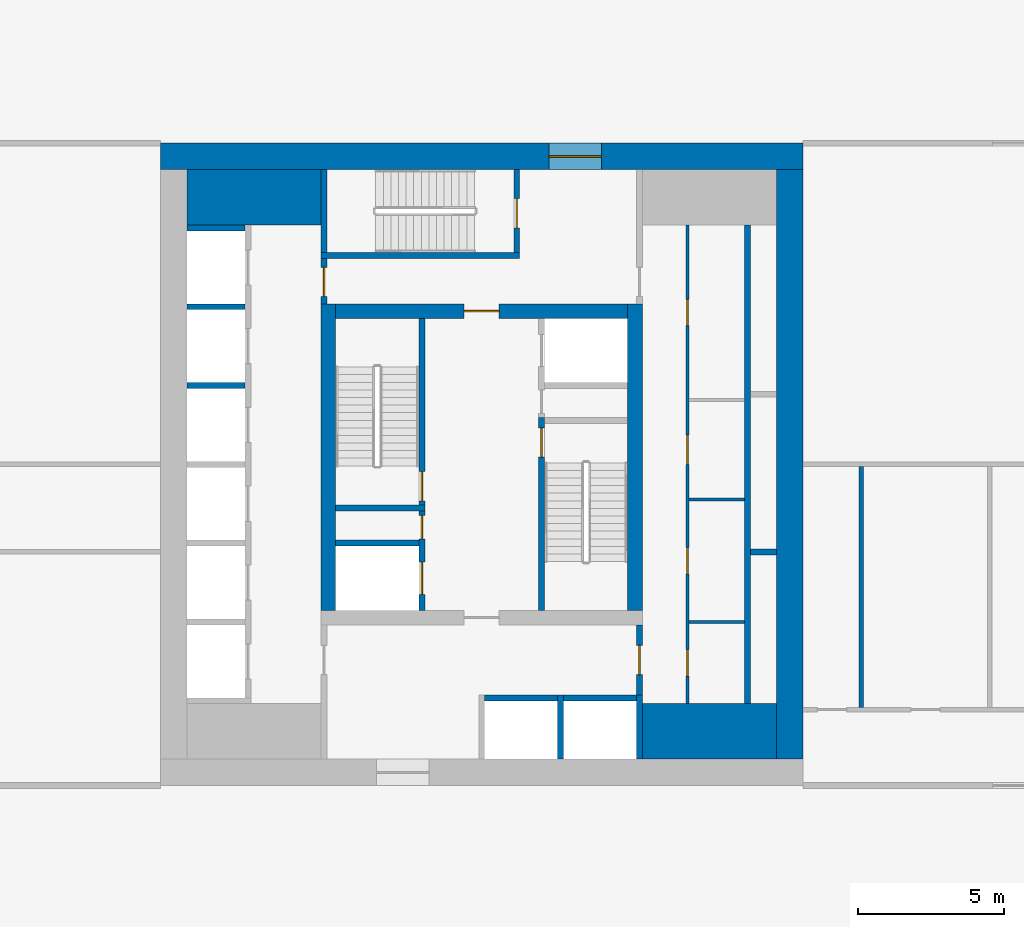
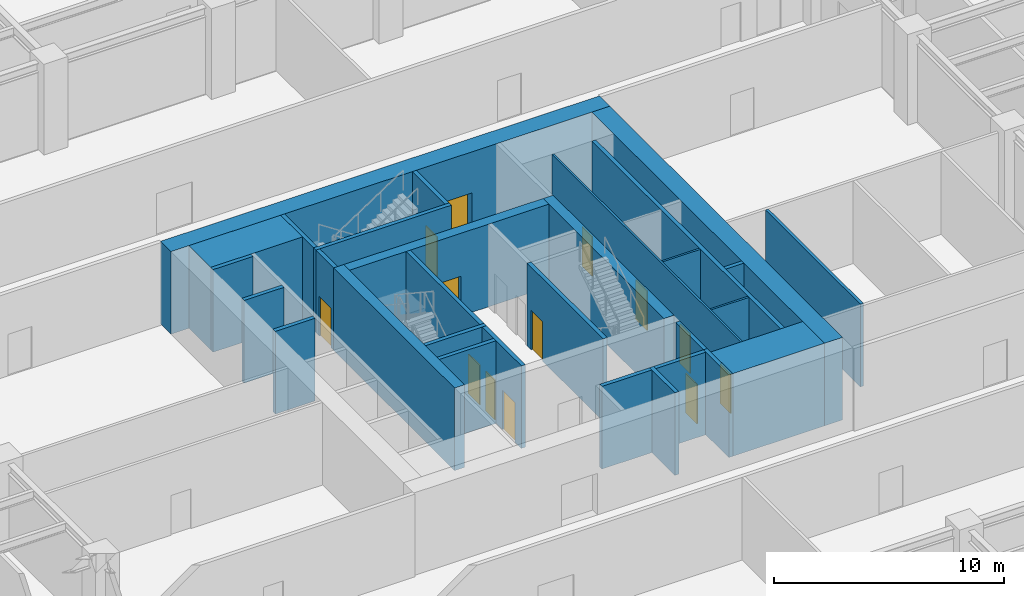
# One storey, part 39 of 53: 30 walls, 13 doors, 13 openings.
"""IFC4 building model written with IfcOpenShell, lengths in metres."""

from ifc_helpers import new_model, si_unit, direction, frame, frame_2d, origin, place, context, subcontext, project, spatial, rectangle, extrude, material, layer, layer_set, type_object, element, fill, save


model = new_model("IFC4")

# Units and contexts
model_context = context("Model", 3, precision=1e-05, world=origin(), true_north=direction((0.0, 1.0)))
body_context = subcontext(model_context, "Body", "Model", "MODEL_VIEW")
ifc_project = project(units=[si_unit("LENGTHUNIT", "METRE"), si_unit("AREAUNIT", "SQUARE_METRE"), si_unit("VOLUMEUNIT", "CUBIC_METRE"), si_unit("PLANEANGLEUNIT", "RADIAN"), si_unit("MASSUNIT", "GRAM", prefix="KILO")], contexts=[model_context])

# Site, building, storey
site_placement = place(None, origin())
site = spatial("IfcSite", under=ifc_project, at=site_placement, CompositionType="ELEMENT")
building_placement = place(site_placement, origin())
building = spatial("IfcBuilding", under=site, at=building_placement, Name="Khepri Terraces", CompositionType="ELEMENT")
storey_placement = place(building_placement, frame((0.0, 0.0, 7.199951171875)))
storey = spatial("IfcBuildingStorey", under=building, at=storey_placement, Name="L01", CompositionType="ELEMENT", Elevation=7.199951171875)

# Walls
ifc_material_1 = material(Name="Concrete C80/95", Category="concrete")
ifc_layer_1 = layer(ifc_material_1, 1.89990234375, Name="Concrete C80/95", Category="concrete")
ifc_layer_set_1 = layer_set([ifc_layer_1], Name="Concrete C80/95")
wall_type_1 = type_object("IfcWallType", Name="Core wall 1900 C80/95", PredefinedType="SHEAR", material=ifc_layer_set_1)
for number, where, z_axis, x_axis, name in (
    (1, (5.5, -9.14990234375, 0.0), (0.0, 0.0, 1.0), (1.0, 0.0, 0.0), "Core wall PR02 L01"),
    (2, (-10.10009765625, 9.14990234375, 0.0), (0.0, 0.0, 1.0), (1.0, 0.0, 0.0), "Core wall PR03 L01"),
):
    element("IfcWall", number, at=place(storey_placement, frame(where, z_axis=z_axis, x_axis=x_axis)), inside=storey, type_object=wall_type_1, Name=name, PredefinedType="SHEAR", context=body_context, shape_type="SweptSolid", body=[
        extrude(rectangle(XDim=4.60009765625, YDim=1.89990234375, at=frame_2d((2.300048828125, 0.0))), origin(), (0.0, 0.0, 1.0), 4.380126953125),
    ])

# Wall, opening, door
ifc_layer_2 = layer(ifc_material_1, 0.199951171875, Name="Concrete C80/95", Category="concrete")
ifc_layer_set_2 = layer_set([ifc_layer_2], Name="Concrete C80/95")
wall_type_2 = type_object("IfcWallType", Name="Core wall 200 C80/95", PredefinedType="SHEAR", material=ifc_layer_set_2)
wall_1_placement = place(storey_placement, frame((2.050048828125, -5.0, 0.0), z_axis=(0.0, 0.0, 1.0), x_axis=(0.0, 1.0, 0.0)))
wall_1 = element("IfcWall", 3, at=wall_1_placement, inside=storey, type_object=wall_type_2, Name="Core wall ST01 L01", PredefinedType="SHEAR", context=body_context, shape_type="SweptSolid", body=[
    extrude(rectangle(XDim=6.60009765625, YDim=0.199951171875, at=frame_2d((3.300048828125, 0.0))), origin(), (0.0, 0.0, 1.0), 4.380126953125),
])
opening_1_placement = place(wall_1_placement, frame((5.25, 0.0, 0.0)))
opening_1 = element("IfcOpeningElement", 4, at=opening_1_placement, cuts=wall_1, Name="Opening L01-C10", PredefinedType="OPENING", context=body_context, shape_type="SweptSolid", body=[
    extrude(rectangle(XDim=1.0, YDim=2.10009765625, at=frame_2d((0.5, 1.050048828125))), frame((0.0, 0.10986328125, 0.0), z_axis=(0.0, -1.0, 0.0), x_axis=(1.0, 0.0, 0.0)), (0.0, 0.0, 1.0), 0.219970703125),
])
ifc_material_2 = material(Name="Painted steel", Category="steel")
door_type_1 = type_object("IfcDoorType", Name="DR-CORE-STAIR-1000", OperationType="NOTDEFINED", PredefinedType="DOOR", material=ifc_material_2)
door_1_placement = place(opening_1_placement, frame((1.0, 0.0, 0.0), z_axis=(0.0, 0.0, 1.0), x_axis=(-1.0, 0.0, 0.0)))
door_1 = element("IfcDoor", 5, at=door_1_placement, inside=storey, type_object=door_type_1, Name="Stair door L01-C10", OperationType="SINGLE_SWING_LEFT", OverallHeight=2.10009765625, OverallWidth=1.0, PredefinedType="DOOR", context=body_context, shape_type="SweptSolid", body=[
    extrude(rectangle(XDim=1.0, YDim=2.10009765625, at=frame_2d((0.5, 1.050048828125))), frame((0.0, 0.02490234375, 0.0), z_axis=(0.0, -1.0, 0.0), x_axis=(1.0, 0.0, 0.0)), (0.0, 0.0, 1.0), 0.050048828125),
])
fill(opening_1, door_1)

# Wall
wall_2_placement = place(storey_placement, frame((-5.0, -1.5, 0.0), z_axis=(0.0, 0.0, 1.0), x_axis=(1.0, 0.0, 0.0)))
element("IfcWall", 6, at=wall_2_placement, inside=storey, type_object=wall_type_2, Name="Core wall ST02 L01", PredefinedType="SHEAR", context=body_context, shape_type="SweptSolid", body=[
    extrude(rectangle(XDim=3.050048828125, YDim=0.199951171875, at=frame_2d((1.52490234375, 0.0))), origin(), (0.0, 0.0, 1.0), 4.380126953125),
])

# Wall, opening, door
wall_3_placement = place(storey_placement, frame((-2.050048828125, -1.39990234375, 0.0), z_axis=(0.0, 0.0, 1.0), x_axis=(0.0, 1.0, 0.0)))
wall_3 = element("IfcWall", 7, at=wall_3_placement, inside=storey, type_object=wall_type_2, Name="Core wall ST03 L01", PredefinedType="SHEAR", context=body_context, shape_type="SweptSolid", body=[
    extrude(rectangle(XDim=6.39990234375, YDim=0.199951171875, at=frame_2d((3.199951171875, 0.0))), origin(), (0.0, 0.0, 1.0), 4.380126953125),
])
opening_2_placement = place(wall_3_placement, frame((0.14990234375, 0.0, 0.0)))
opening_2 = element("IfcOpeningElement", 8, at=opening_2_placement, cuts=wall_3, Name="Opening L01-C09", PredefinedType="OPENING", context=body_context, shape_type="SweptSolid", body=[
    extrude(rectangle(XDim=1.0, YDim=2.10009765625, at=frame_2d((0.5, 1.050048828125))), frame((0.0, 0.10986328125, 0.0), z_axis=(0.0, -1.0, 0.0), x_axis=(1.0, 0.0, 0.0)), (0.0, 0.0, 1.0), 0.219970703125),
])
door_2_placement = place(opening_2_placement, origin())
door_2 = element("IfcDoor", 9, at=door_2_placement, inside=storey, type_object=door_type_1, Name="Stair door L01-C09", OperationType="SINGLE_SWING_LEFT", OverallHeight=2.10009765625, OverallWidth=1.0, PredefinedType="DOOR", context=body_context, shape_type="SweptSolid", body=[
    extrude(rectangle(XDim=1.0, YDim=2.10009765625, at=frame_2d((0.5, 1.050048828125))), frame((0.0, 0.02490234375, 0.0), z_axis=(0.0, -1.0, 0.0), x_axis=(1.0, 0.0, 0.0)), (0.0, 0.0, 1.0), 0.050048828125),
])
fill(opening_2, door_2)

# Walls
wall_4_placement = place(storey_placement, frame((-5.5, 7.14990234375, 0.0), z_axis=(0.0, 0.0, 1.0), x_axis=(1.0, 0.0, 0.0)))
element("IfcWall", 10, at=wall_4_placement, inside=storey, type_object=wall_type_2, Name="Core wall ST05 L01", PredefinedType="SHEAR", context=body_context, shape_type="SweptSolid", body=[
    extrude(rectangle(XDim=6.800048828125, YDim=0.199951171875, at=frame_2d((3.39990234375, 0.0))), origin(), (0.0, 0.0, 1.0), 4.380126953125),
])
wall_5_placement = place(storey_placement, frame((-5.39990234375, 7.25, 0.0), z_axis=(0.0, 0.0, 1.0), x_axis=(0.0, 1.0, 0.0)))
element("IfcWall", 11, at=wall_5_placement, inside=storey, type_object=wall_type_2, Name="Core wall ST06 L01", PredefinedType="SHEAR", context=body_context, shape_type="SweptSolid", body=[
    extrude(rectangle(XDim=2.85009765625, YDim=0.199951171875, at=frame_2d((1.425048828125, 0.0))), origin(), (0.0, 0.0, 1.0), 4.380126953125),
])

# Wall, opening, door
wall_6_placement = place(storey_placement, frame((1.199951171875, 7.25, 0.0), z_axis=(0.0, 0.0, 1.0), x_axis=(0.0, 1.0, 0.0)))
wall_6 = element("IfcWall", 12, at=wall_6_placement, inside=storey, type_object=wall_type_2, Name="Core wall ST07 L01", PredefinedType="SHEAR", context=body_context, shape_type="SweptSolid", body=[
    extrude(rectangle(XDim=2.85009765625, YDim=0.199951171875, at=frame_2d((1.425048828125, 0.0))), origin(), (0.0, 0.0, 1.0), 4.380126953125),
])
opening_3_placement = place(wall_6_placement, frame((0.85009765625, 0.0, 0.0)))
opening_3 = element("IfcOpeningElement", 13, at=opening_3_placement, cuts=wall_6, Name="Opening L01-C15", PredefinedType="OPENING", context=body_context, shape_type="SweptSolid", body=[
    extrude(rectangle(XDim=1.0, YDim=2.10009765625, at=frame_2d((0.5, 1.050048828125))), frame((0.0, 0.10986328125, 0.0), z_axis=(0.0, -1.0, 0.0), x_axis=(1.0, 0.0, 0.0)), (0.0, 0.0, 1.0), 0.219970703125),
])
door_3_placement = place(opening_3_placement, origin())
door_3 = element("IfcDoor", 14, at=door_3_placement, inside=storey, type_object=door_type_1, Name="Stair door L01-C15", OperationType="SINGLE_SWING_LEFT", OverallHeight=2.10009765625, OverallWidth=1.0, PredefinedType="DOOR", context=body_context, shape_type="SweptSolid", body=[
    extrude(rectangle(XDim=1.0, YDim=2.10009765625, at=frame_2d((0.5, 1.050048828125))), frame((0.0, 0.02490234375, 0.0), z_axis=(0.0, -1.0, 0.0), x_axis=(1.0, 0.0, 0.0)), (0.0, 0.0, 1.0), 0.050048828125),
])
fill(opening_3, door_3)

# Walls
for number, where, z_axis, x_axis, name in (
    (15, (2.699951171875, -10.10009765625, 0.0), (0.0, 0.0, 1.0), (0.0, 1.0, 0.0), "Core wall SH02 L01"),
    (16, (5.39990234375, -10.10009765625, 0.0), (0.0, 0.0, 1.0), (0.0, 1.0, 0.0), "Core wall SH03 L01"),
):
    element("IfcWall", number, at=place(storey_placement, frame(where, z_axis=z_axis, x_axis=x_axis)), inside=storey, type_object=wall_type_2, Name=name, PredefinedType="SHEAR", context=body_context, shape_type="SweptSolid", body=[
        extrude(rectangle(XDim=2.2001953125, YDim=0.199951171875, at=frame_2d((1.10009765625, 0.0))), origin(), (0.0, 0.0, 1.0), 4.380126953125),
    ])
wall_7_placement = place(storey_placement, frame((9.10009765625, -8.199951171875, 0.0), z_axis=(0.0, 0.0, 1.0), x_axis=(0.0, 1.0, 0.0)))
element("IfcWall", 17, at=wall_7_placement, inside=storey, type_object=wall_type_2, Name="Core wall SH05 L01", PredefinedType="SHEAR", context=body_context, shape_type="SweptSolid", body=[
    extrude(rectangle(XDim=16.39990234375, YDim=0.199951171875, at=frame_2d((8.199951171875, 0.0))), origin(), (0.0, 0.0, 1.0), 4.380126953125),
])
for number, where, z_axis, x_axis, name in (
    (18, (0.10009765625, -8.0, 0.0), (0.0, 0.0, 1.0), (1.0, 0.0, 0.0), "Core wall SH06 L01"),
    (19, (2.800048828125, -8.0, 0.0), (0.0, 0.0, 1.0), (1.0, 0.0, 0.0), "Core wall SH07 L01"),
):
    element("IfcWall", number, at=place(storey_placement, frame(where, z_axis=z_axis, x_axis=x_axis)), inside=storey, type_object=wall_type_2, Name=name, PredefinedType="SHEAR", context=body_context, shape_type="SweptSolid", body=[
        extrude(rectangle(XDim=2.5, YDim=0.199951171875, at=frame_2d((1.25, 0.0))), origin(), (0.0, 0.0, 1.0), 4.380126953125),
    ])

# Wall, openings, doors
wall_8_placement = place(storey_placement, frame((-2.050048828125, -5.0, 0.0), z_axis=(0.0, 0.0, 1.0), x_axis=(0.0, 1.0, 0.0)))
wall_8 = element("IfcWall", 20, at=wall_8_placement, inside=storey, type_object=wall_type_2, Name="Core wall SH10 L01", PredefinedType="SHEAR", context=body_context, shape_type="SweptSolid", body=[
    extrude(rectangle(XDim=3.39990234375, YDim=0.199951171875, at=frame_2d((1.699951171875, 0.0))), origin(), (0.0, 0.0, 1.0), 4.380126953125),
])
opening_4_placement = place(wall_8_placement, frame((0.550048828125, 0.0, 0.0)))
opening_4 = element("IfcOpeningElement", 21, at=opening_4_placement, cuts=wall_8, Name="Opening L01-C08", PredefinedType="OPENING", context=body_context, shape_type="SweptSolid", body=[
    extrude(rectangle(XDim=1.10009765625, YDim=2.10009765625, at=frame_2d((0.550048828125, 1.050048828125))), frame((0.0, 0.10986328125, 0.0), z_axis=(0.0, -1.0, 0.0), x_axis=(1.0, 0.0, 0.0)), (0.0, 0.0, 1.0), 0.219970703125),
])
opening_5_placement = place(wall_8_placement, frame((2.449951171875, 0.0, 0.0)))
opening_5 = element("IfcOpeningElement", 22, at=opening_5_placement, cuts=wall_8, Name="Opening L01-C12", PredefinedType="OPENING", context=body_context, shape_type="SweptSolid", body=[
    extrude(rectangle(XDim=0.800048828125, YDim=2.10009765625, at=frame_2d((0.39990234375, 1.050048828125))), frame((0.0, 0.10986328125, 0.0), z_axis=(0.0, -1.0, 0.0), x_axis=(1.0, 0.0, 0.0)), (0.0, 0.0, 1.0), 0.219970703125),
])
ifc_material_3 = material(Name="Stainless steel 304", Category="steel")
door_type_2 = type_object("IfcDoorType", Name="DR-CORE-FF-LANDING-1100", OperationType="NOTDEFINED", PredefinedType="DOOR", material=ifc_material_3)
door_4_placement = place(opening_4_placement, origin())
door_4 = element("IfcDoor", 23, at=door_4_placement, inside=storey, type_object=door_type_2, Name="Firefighting lift landing door L01-C08", OperationType="SLIDING_TO_LEFT", OverallHeight=2.10009765625, OverallWidth=1.10009765625, PredefinedType="DOOR", context=body_context, shape_type="SweptSolid", body=[
    extrude(rectangle(XDim=1.10009765625, YDim=2.10009765625, at=frame_2d((0.550048828125, 1.050048828125))), frame((0.0, 0.02490234375, 0.0), z_axis=(0.0, -1.0, 0.0), x_axis=(1.0, 0.0, 0.0)), (0.0, 0.0, 1.0), 0.050048828125),
])
fill(opening_4, door_4)
door_type_3 = type_object("IfcDoorType", Name="DR-CORE-RISER-800", OperationType="NOTDEFINED", PredefinedType="DOOR", material=ifc_material_2)
door_5_placement = place(opening_5_placement, origin())
door_5 = element("IfcDoor", 24, at=door_5_placement, inside=storey, type_object=door_type_3, Name="Riser door L01-C12", OperationType="SINGLE_SWING_RIGHT", OverallHeight=2.10009765625, OverallWidth=0.800048828125, PredefinedType="DOOR", context=body_context, shape_type="SweptSolid", body=[
    extrude(rectangle(XDim=0.800048828125, YDim=2.10009765625, at=frame_2d((0.39990234375, 1.050048828125))), frame((0.0, 0.02490234375, 0.0), z_axis=(0.0, -1.0, 0.0), x_axis=(1.0, 0.0, 0.0)), (0.0, 0.0, 1.0), 0.050048828125),
])
fill(opening_5, door_5)

# Walls
wall_9_placement = place(storey_placement, frame((9.199951171875, -3.0, 0.0), z_axis=(0.0, 0.0, 1.0), x_axis=(1.0, 0.0, 0.0)))
element("IfcWall", 25, at=wall_9_placement, inside=storey, type_object=wall_type_2, Name="Core wall SH11 L01", PredefinedType="SHEAR", context=body_context, shape_type="SweptSolid", body=[
    extrude(rectangle(XDim=0.900146484375, YDim=0.199951171875, at=frame_2d((0.4501953125, 0.0))), origin(), (0.0, 0.0, 1.0), 4.380126953125),
])
wall_10_placement = place(storey_placement, frame((-5.0, -2.699951171875, 0.0), z_axis=(0.0, 0.0, 1.0), x_axis=(1.0, 0.0, 0.0)))
element("IfcWall", 26, at=wall_10_placement, inside=storey, type_object=wall_type_2, Name="Core wall SH13 L01", PredefinedType="SHEAR", context=body_context, shape_type="SweptSolid", body=[
    extrude(rectangle(XDim=2.85009765625, YDim=0.199951171875, at=frame_2d((1.425048828125, 0.0))), origin(), (0.0, 0.0, 1.0), 4.380126953125),
])
for number, where, z_axis, x_axis, name in (
    (27, (-10.10009765625, 2.699951171875, 0.0), (0.0, 0.0, 1.0), (1.0, 0.0, 0.0), "Core wall SH17 L01"),
    (28, (-10.10009765625, 5.39990234375, 0.0), (0.0, 0.0, 1.0), (1.0, 0.0, 0.0), "Core wall SH19 L01"),
    (29, (-10.10009765625, 8.10009765625, 0.0), (0.0, 0.0, 1.0), (1.0, 0.0, 0.0), "Core wall SH20 L01"),
):
    element("IfcWall", number, at=place(storey_placement, frame(where, z_axis=z_axis, x_axis=x_axis)), inside=storey, type_object=wall_type_2, Name=name, PredefinedType="SHEAR", context=body_context, shape_type="SweptSolid", body=[
        extrude(rectangle(XDim=2.0, YDim=0.199951171875, at=frame_2d((1.0, 0.0))), origin(), (0.0, 0.0, 1.0), 4.380126953125),
    ])
ifc_layer_3 = layer(ifc_material_1, 0.5, Name="Concrete C80/95", Category="concrete")
ifc_layer_set_3 = layer_set([ifc_layer_3], Name="Concrete C80/95")
wall_type_3 = type_object("IfcWallType", Name="Core wall 500 C80/95", PredefinedType="SHEAR", material=ifc_layer_set_3)
for number, where, z_axis, x_axis, name in (
    (30, (-5.25, -5.0, 0.0), (0.0, 0.0, 1.0), (0.0, 1.0, 0.0), "Core wall BX02 L01"),
    (31, (5.25, -5.0, 0.0), (0.0, 0.0, 1.0), (0.0, 1.0, 0.0), "Core wall BX03 L01"),
):
    element("IfcWall", number, at=place(storey_placement, frame(where, z_axis=z_axis, x_axis=x_axis)), inside=storey, type_object=wall_type_3, Name=name, PredefinedType="SHEAR", context=body_context, shape_type="SweptSolid", body=[
        extrude(rectangle(XDim=10.5, YDim=0.5, at=frame_2d((5.25, 0.0))), origin(), (0.0, 0.0, 1.0), 4.380126953125),
    ])

# Wall, opening, door
wall_11_placement = place(storey_placement, frame((-5.0, 5.25, 0.0), z_axis=(0.0, 0.0, 1.0), x_axis=(1.0, 0.0, 0.0)))
wall_11 = element("IfcWall", 32, at=wall_11_placement, inside=storey, type_object=wall_type_3, Name="Core wall BX04 L01", PredefinedType="SHEAR", context=body_context, shape_type="SweptSolid", body=[
    extrude(rectangle(XDim=10.0, YDim=0.5, at=frame_2d((5.0, 0.0))), origin(), (0.0, 0.0, 1.0), 4.380126953125),
])
opening_6_placement = place(wall_11_placement, frame((4.39990234375, 0.0, 0.0)))
opening_6 = element("IfcOpeningElement", 33, at=opening_6_placement, cuts=wall_11, Name="Opening L01-C13", PredefinedType="OPENING", context=body_context, shape_type="SweptSolid", body=[
    extrude(rectangle(XDim=1.199951171875, YDim=2.10009765625, at=frame_2d((0.60009765625, 1.050048828125))), frame((0.0, 0.260009765625, 0.0), z_axis=(0.0, -1.0, 0.0), x_axis=(1.0, 0.0, 0.0)), (0.0, 0.0, 1.0), 0.52001953125),
])
door_type_4 = type_object("IfcDoorType", Name="DR-CORE-FF-LOBBY-1200", OperationType="NOTDEFINED", PredefinedType="DOOR", material=ifc_material_2)
door_6_placement = place(opening_6_placement, frame((1.199951171875, 0.0, 0.0), z_axis=(0.0, 0.0, 1.0), x_axis=(-1.0, 0.0, 0.0)))
door_6 = element("IfcDoor", 34, at=door_6_placement, inside=storey, type_object=door_type_4, Name="Firefighting lobby door L01-C13", OperationType="SINGLE_SWING_LEFT", OverallHeight=2.10009765625, OverallWidth=1.199951171875, PredefinedType="DOOR", context=body_context, shape_type="SweptSolid", body=[
    extrude(rectangle(XDim=1.199951171875, YDim=2.10009765625, at=frame_2d((0.60009765625, 1.050048828125))), frame((0.0, 0.02490234375, 0.0), z_axis=(0.0, -1.0, 0.0), x_axis=(1.0, 0.0, 0.0)), (0.0, 0.0, 1.0), 0.050048828125),
])
fill(opening_6, door_6)

ifc_layer_4 = layer(ifc_material_1, 0.89990234375, Name="Concrete C80/95", Category="concrete")
ifc_layer_set_4 = layer_set([ifc_layer_4], Name="Concrete C80/95")
wall_type_4 = type_object("IfcWallType", Name="Core wall 900 C80/95", PredefinedType="SHEAR", material=ifc_layer_set_4)
wall_12_placement = place(storey_placement, frame((-11.0, 10.550048828125, 0.0), z_axis=(0.0, 0.0, 1.0), x_axis=(1.0, 0.0, 0.0)))
wall_12 = element("IfcWall", 35, at=wall_12_placement, inside=storey, type_object=wall_type_4, Name="Core wall OW-N L01", PredefinedType="SHEAR", context=body_context, shape_type="SweptSolid", body=[
    extrude(rectangle(XDim=22.0, YDim=0.89990234375, at=frame_2d((11.0, 0.0))), origin(), (0.0, 0.0, 1.0), 4.380126953125),
])
opening_7_placement = place(wall_12_placement, frame((13.300048828125, 0.0, 0.0)))
opening_7 = element("IfcOpeningElement", 36, at=opening_7_placement, cuts=wall_12, Name="Opening L01-C20", PredefinedType="OPENING", context=body_context, shape_type="SweptSolid", body=[
    extrude(rectangle(XDim=1.800048828125, YDim=2.199951171875, at=frame_2d((0.89990234375, 1.10009765625))), frame((0.0, 0.4599609375, 0.0), z_axis=(0.0, -1.0, 0.0), x_axis=(1.0, 0.0, 0.0)), (0.0, 0.0, 1.0), 0.919921875),
])
door_type_5 = type_object("IfcDoorType", Name="DR-CORE-ENTRANCE-1800", OperationType="NOTDEFINED", PredefinedType="DOOR", material=ifc_material_2)
door_7_placement = place(opening_7_placement, origin())
door_7 = element("IfcDoor", 37, at=door_7_placement, inside=storey, type_object=door_type_5, Name="Core entrance door pair L01-C20", OperationType="DOUBLE_DOOR_SINGLE_SWING", OverallHeight=2.199951171875, OverallWidth=1.800048828125, PredefinedType="DOOR", context=body_context, shape_type="SweptSolid", body=[
    extrude(rectangle(XDim=1.800048828125, YDim=2.199951171875, at=frame_2d((0.89990234375, 1.10009765625))), frame((0.0, 0.02490234375, 0.0), z_axis=(0.0, -1.0, 0.0), x_axis=(1.0, 0.0, 0.0)), (0.0, 0.0, 1.0), 0.050048828125),
])
fill(opening_7, door_7)

# Wall
wall_13_placement = place(storey_placement, frame((10.550048828125, -10.10009765625, 0.0), z_axis=(0.0, 0.0, 1.0), x_axis=(0.0, 1.0, 0.0)))
element("IfcWall", 38, at=wall_13_placement, inside=storey, type_object=wall_type_4, Name="Core wall OW-E L01", PredefinedType="SHEAR", context=body_context, shape_type="SweptSolid", body=[
    extrude(rectangle(XDim=20.2001953125, YDim=0.89990234375, at=frame_2d((10.10009765625, 0.0))), origin(), (0.0, 0.0, 1.0), 4.380126953125),
])

# Wall, openings, doors
ifc_material_4 = material(Name="Fire-rated gypsum board partition")
ifc_layer_5 = layer(ifc_material_4, 0.10009765625, Name="Fire-rated gypsum board partition")
ifc_layer_set_5 = layer_set([ifc_layer_5], Name="Fire-rated gypsum board partition")
wall_type_5 = type_object("IfcWallType", Name="WL-CORE-PART-100", PredefinedType="PARTITIONING", material=ifc_layer_set_5)
wall_14_placement = place(storey_placement, frame((7.050048828125, -8.199951171875, 0.0), z_axis=(0.0, 0.0, 1.0), x_axis=(0.0, 1.0, 0.0)))
wall_14 = element("IfcWall", 39, at=wall_14_placement, inside=storey, type_object=wall_type_5, Name="Core partition PT02 L01", PredefinedType="PARTITIONING", context=body_context, shape_type="SweptSolid", body=[
    extrude(rectangle(XDim=16.39990234375, YDim=0.10009765625, at=frame_2d((8.199951171875, 0.0))), origin(), (0.0, 0.0, 1.0), 4.380126953125),
])
opening_8_placement = place(wall_14_placement, frame((0.949951171875, 0.0, 0.0)))
opening_8 = element("IfcOpeningElement", 40, at=opening_8_placement, cuts=wall_14, Name="Opening L01-C22", PredefinedType="OPENING", context=body_context, shape_type="SweptSolid", body=[
    extrude(rectangle(XDim=0.89990234375, YDim=2.10009765625, at=frame_2d((0.449951171875, 1.050048828125))), frame((0.0, 0.06005859375, 0.0), z_axis=(0.0, -1.0, 0.0), x_axis=(1.0, 0.0, 0.0)), (0.0, 0.0, 1.0), 0.1201171875),
])
opening_9_placement = place(wall_14_placement, frame((4.449951171875, 0.0, 0.0)))
opening_9 = element("IfcOpeningElement", 41, at=opening_9_placement, cuts=wall_14, Name="Opening L01-C23", PredefinedType="OPENING", context=body_context, shape_type="SweptSolid", body=[
    extrude(rectangle(XDim=0.89990234375, YDim=2.10009765625, at=frame_2d((0.449951171875, 1.050048828125))), frame((0.0, 0.06005859375, 0.0), z_axis=(0.0, -1.0, 0.0), x_axis=(1.0, 0.0, 0.0)), (0.0, 0.0, 1.0), 0.1201171875),
])
opening_10_placement = place(wall_14_placement, frame((8.199951171875, 0.0, 0.0)))
opening_10 = element("IfcOpeningElement", 42, at=opening_10_placement, cuts=wall_14, Name="Opening L01-C24", PredefinedType="OPENING", context=body_context, shape_type="SweptSolid", body=[
    extrude(rectangle(XDim=1.0, YDim=2.10009765625, at=frame_2d((0.5, 1.050048828125))), frame((0.0, 0.06005859375, 0.0), z_axis=(0.0, -1.0, 0.0), x_axis=(1.0, 0.0, 0.0)), (0.0, 0.0, 1.0), 0.1201171875),
])
opening_11_placement = place(wall_14_placement, frame((12.949951171875, 0.0, 0.0)))
opening_11 = element("IfcOpeningElement", 43, at=opening_11_placement, cuts=wall_14, Name="Opening L01-C25", PredefinedType="OPENING", context=body_context, shape_type="SweptSolid", body=[
    extrude(rectangle(XDim=0.89990234375, YDim=2.10009765625, at=frame_2d((0.449951171875, 1.050048828125))), frame((0.0, 0.06005859375, 0.0), z_axis=(0.0, -1.0, 0.0), x_axis=(1.0, 0.0, 0.0)), (0.0, 0.0, 1.0), 0.1201171875),
])
door_type_6 = type_object("IfcDoorType", Name="DR-CORE-SERVICE-900", OperationType="NOTDEFINED", PredefinedType="DOOR", material=ifc_material_2)
door_8_placement = place(opening_8_placement, frame((0.89990234375, 0.0, 0.0), z_axis=(0.0, 0.0, 1.0), x_axis=(-1.0, 0.0, 0.0)))
door_8 = element("IfcDoor", 44, at=door_8_placement, inside=storey, type_object=door_type_6, Name="Service room door L01-C22", OperationType="SINGLE_SWING_RIGHT", OverallHeight=2.10009765625, OverallWidth=0.89990234375, PredefinedType="DOOR", context=body_context, shape_type="SweptSolid", body=[
    extrude(rectangle(XDim=0.89990234375, YDim=2.10009765625, at=frame_2d((0.449951171875, 1.050048828125))), frame((0.0, 0.02490234375, 0.0), z_axis=(0.0, -1.0, 0.0), x_axis=(1.0, 0.0, 0.0)), (0.0, 0.0, 1.0), 0.050048828125),
])
fill(opening_8, door_8)
door_9_placement = place(opening_9_placement, frame((0.89990234375, 0.0, 0.0), z_axis=(0.0, 0.0, 1.0), x_axis=(-1.0, 0.0, 0.0)))
door_9 = element("IfcDoor", 45, at=door_9_placement, inside=storey, type_object=door_type_6, Name="Service room door L01-C23", OperationType="SINGLE_SWING_RIGHT", OverallHeight=2.10009765625, OverallWidth=0.89990234375, PredefinedType="DOOR", context=body_context, shape_type="SweptSolid", body=[
    extrude(rectangle(XDim=0.89990234375, YDim=2.10009765625, at=frame_2d((0.449951171875, 1.050048828125))), frame((0.0, 0.02490234375, 0.0), z_axis=(0.0, -1.0, 0.0), x_axis=(1.0, 0.0, 0.0)), (0.0, 0.0, 1.0), 0.050048828125),
])
fill(opening_9, door_9)
door_10_placement = place(opening_11_placement, frame((0.89990234375, 0.0, 0.0), z_axis=(0.0, 0.0, 1.0), x_axis=(-1.0, 0.0, 0.0)))
door_10 = element("IfcDoor", 46, at=door_10_placement, inside=storey, type_object=door_type_6, Name="Service room door L01-C25", OperationType="SINGLE_SWING_LEFT", OverallHeight=2.10009765625, OverallWidth=0.89990234375, PredefinedType="DOOR", context=body_context, shape_type="SweptSolid", body=[
    extrude(rectangle(XDim=0.89990234375, YDim=2.10009765625, at=frame_2d((0.449951171875, 1.050048828125))), frame((0.0, 0.02490234375, 0.0), z_axis=(0.0, -1.0, 0.0), x_axis=(1.0, 0.0, 0.0)), (0.0, 0.0, 1.0), 0.050048828125),
])
fill(opening_11, door_10)
ifc_material_5 = material(Name="Timber veneer", Category="wood")
door_type_7 = type_object("IfcDoorType", Name="DR-CORE-WC-1000", OperationType="NOTDEFINED", PredefinedType="DOOR", material=ifc_material_5)
door_11_placement = place(opening_10_placement, frame((1.0, 0.0, 0.0), z_axis=(0.0, 0.0, 1.0), x_axis=(-1.0, 0.0, 0.0)))
door_11 = element("IfcDoor", 47, at=door_11_placement, inside=storey, type_object=door_type_7, Name="WC door L01-C24", OperationType="SINGLE_SWING_LEFT", OverallHeight=2.10009765625, OverallWidth=1.0, PredefinedType="DOOR", context=body_context, shape_type="SweptSolid", body=[
    extrude(rectangle(XDim=1.0, YDim=2.10009765625, at=frame_2d((0.5, 1.050048828125))), frame((0.0, 0.02490234375, 0.0), z_axis=(0.0, -1.0, 0.0), x_axis=(1.0, 0.0, 0.0)), (0.0, 0.0, 1.0), 0.050048828125),
])
fill(opening_10, door_11)

# Walls
for number, where, z_axis, x_axis, name in (
    (48, (7.10009765625, -5.39990234375, 0.0), (0.0, 0.0, 1.0), (1.0, 0.0, 0.0), "Core partition PT04 L01"),
    (49, (7.10009765625, -1.199951171875, 0.0), (0.0, 0.0, 1.0), (1.0, 0.0, 0.0), "Core partition PT05 L01"),
):
    element("IfcWall", number, at=place(storey_placement, frame(where, z_axis=z_axis, x_axis=x_axis)), inside=storey, type_object=wall_type_5, Name=name, PredefinedType="PARTITIONING", context=body_context, shape_type="SweptSolid", body=[
        extrude(rectangle(XDim=1.89990234375, YDim=0.10009765625, at=frame_2d((0.949951171875, 0.0))), origin(), (0.0, 0.0, 1.0), 4.380126953125),
    ])

# Wall, opening, door
ifc_layer_6 = layer(ifc_material_4, 0.199951171875, Name="Fire-rated gypsum board partition")
ifc_layer_set_6 = layer_set([ifc_layer_6], Name="Fire-rated gypsum board partition")
wall_type_6 = type_object("IfcWallType", Name="WL-CORE-PART-200", PredefinedType="PARTITIONING", material=ifc_layer_set_6)
wall_15_placement = place(storey_placement, frame((5.39990234375, -7.89990234375, 0.0), z_axis=(0.0, 0.0, 1.0), x_axis=(0.0, 1.0, 0.0)))
wall_15 = element("IfcWall", 50, at=wall_15_placement, inside=storey, type_object=wall_type_6, Name="Core partition PT03 L01", PredefinedType="PARTITIONING", context=body_context, shape_type="SweptSolid", body=[
    extrude(rectangle(XDim=2.39990234375, YDim=0.199951171875, at=frame_2d((1.199951171875, 0.0))), origin(), (0.0, 0.0, 1.0), 4.380126953125),
])
opening_12_placement = place(wall_15_placement, frame((0.699951171875, 0.0, 0.0)))
opening_12 = element("IfcOpeningElement", 51, at=opening_12_placement, cuts=wall_15, Name="Opening L01-C19", PredefinedType="OPENING", context=body_context, shape_type="SweptSolid", body=[
    extrude(rectangle(XDim=1.0, YDim=2.10009765625, at=frame_2d((0.5, 1.050048828125))), frame((0.0, 0.10986328125, 0.0), z_axis=(0.0, -1.0, 0.0), x_axis=(1.0, 0.0, 0.0)), (0.0, 0.0, 1.0), 0.219970703125),
])
door_type_8 = type_object("IfcDoorType", Name="DR-CORE-LOBBY-1000", OperationType="NOTDEFINED", PredefinedType="DOOR", material=ifc_material_2)
door_12_placement = place(opening_12_placement, origin())
door_12 = element("IfcDoor", 52, at=door_12_placement, inside=storey, type_object=door_type_8, Name="Lobby door L01-C19", OperationType="SINGLE_SWING_RIGHT", OverallHeight=2.10009765625, OverallWidth=1.0, PredefinedType="DOOR", context=body_context, shape_type="SweptSolid", body=[
    extrude(rectangle(XDim=1.0, YDim=2.10009765625, at=frame_2d((0.5, 1.050048828125))), frame((0.0, 0.02490234375, 0.0), z_axis=(0.0, -1.0, 0.0), x_axis=(1.0, 0.0, 0.0)), (0.0, 0.0, 1.0), 0.050048828125),
])
fill(opening_12, door_12)

wall_16_placement = place(storey_placement, frame((-5.39990234375, 5.5, 0.0), z_axis=(0.0, 0.0, 1.0), x_axis=(0.0, 1.0, 0.0)))
wall_16 = element("IfcWall", 53, at=wall_16_placement, inside=storey, type_object=wall_type_6, Name="Core partition PT07 L01", PredefinedType="PARTITIONING", context=body_context, shape_type="SweptSolid", body=[
    extrude(rectangle(XDim=1.550048828125, YDim=0.199951171875, at=frame_2d((0.77490234375, 0.0))), origin(), (0.0, 0.0, 1.0), 4.380126953125),
])
opening_13_placement = place(wall_16_placement, frame((0.25, 0.0, 0.0)))
opening_13 = element("IfcOpeningElement", 54, at=opening_13_placement, cuts=wall_16, Name="Opening L01-C16", PredefinedType="OPENING", context=body_context, shape_type="SweptSolid", body=[
    extrude(rectangle(XDim=1.0, YDim=2.10009765625, at=frame_2d((0.5, 1.050048828125))), frame((0.0, 0.10986328125, 0.0), z_axis=(0.0, -1.0, 0.0), x_axis=(1.0, 0.0, 0.0)), (0.0, 0.0, 1.0), 0.219970703125),
])
door_13_placement = place(opening_13_placement, frame((1.0, 0.0, 0.0), z_axis=(0.0, 0.0, 1.0), x_axis=(-1.0, 0.0, 0.0)))
door_13 = element("IfcDoor", 55, at=door_13_placement, inside=storey, type_object=door_type_8, Name="Lobby door L01-C16", OperationType="SINGLE_SWING_RIGHT", OverallHeight=2.10009765625, OverallWidth=1.0, PredefinedType="DOOR", context=body_context, shape_type="SweptSolid", body=[
    extrude(rectangle(XDim=1.0, YDim=2.10009765625, at=frame_2d((0.5, 1.050048828125))), frame((0.0, 0.02490234375, 0.0), z_axis=(0.0, -1.0, 0.0), x_axis=(1.0, 0.0, 0.0)), (0.0, 0.0, 1.0), 0.050048828125),
])
fill(opening_13, door_13)

# Wall
ifc_material_6 = material(Name="Gypsum board partition")
ifc_layer_7 = layer(ifc_material_6, 0.14990234375, Name="Gypsum board partition")
ifc_layer_set_7 = layer_set([ifc_layer_7], Name="Gypsum board partition")
wall_type_7 = type_object("IfcWallType", Name="WL-POD-150", PredefinedType="PARTITIONING", material=ifc_layer_set_7)
wall_17_placement = place(storey_placement, frame((13.0, -8.324951171875, 0.0), z_axis=(0.0, 0.0, 1.0), x_axis=(0.0, 1.0, 0.0)))
element("IfcWall", 56, at=wall_17_placement, inside=storey, type_object=wall_type_7, Name="Partition L01-PW066", PredefinedType="PARTITIONING", context=body_context, shape_type="SweptSolid", body=[
    extrude(rectangle(XDim=8.25, YDim=0.14990234375, at=frame_2d((4.125, 0.0))), origin(), (0.0, 0.0, 1.0), 4.380126953125),
])

save(model, "model.ifc")
